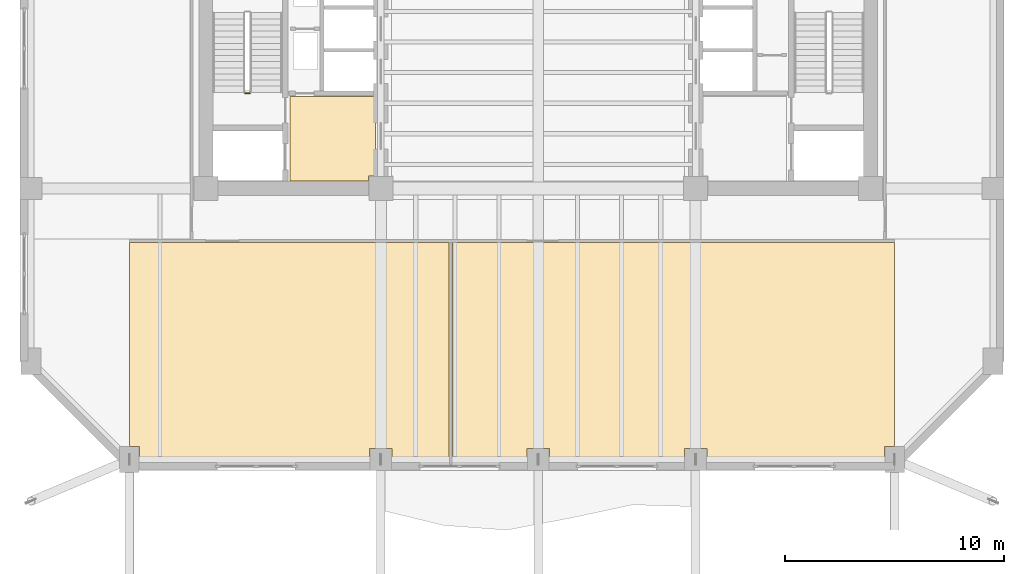
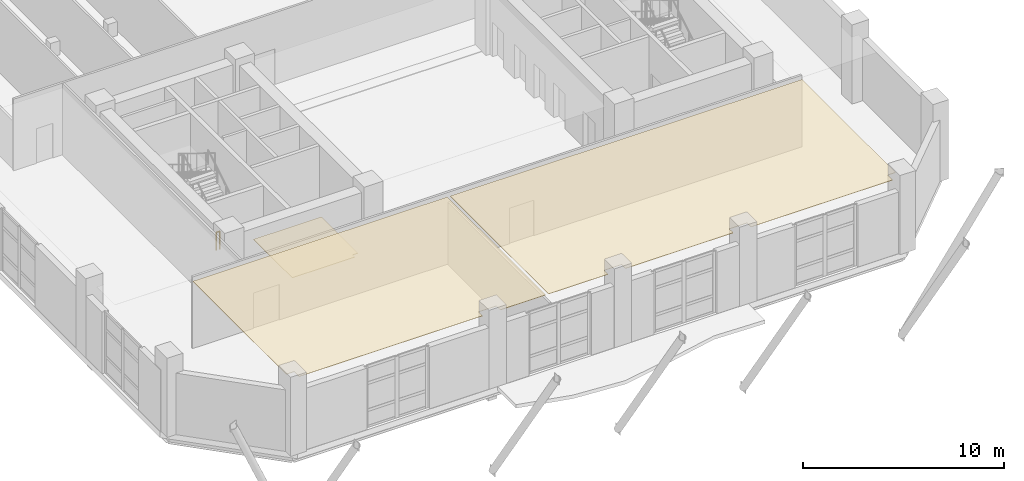
# One storey, part 12 of 16: 3 coverings, 1 railing.
"""IFC4 building model written with IfcOpenShell, lengths in metres."""

from ifc_helpers import new_model, si_unit, direction, frame, origin, origin_2d, place, context, subcontext, project, spatial, polyline, circle, outline, extrude, material, layer, layer_set, type_object, element, save


model = new_model("IFC4")

# Units and contexts
model_context = context("Model", 3, precision=1e-05, world=origin(), true_north=direction((0.0, 1.0)))
body_context = subcontext(model_context, "Body", "Model", "MODEL_VIEW")
ifc_project = project(units=[si_unit("LENGTHUNIT", "METRE"), si_unit("AREAUNIT", "SQUARE_METRE"), si_unit("VOLUMEUNIT", "CUBIC_METRE"), si_unit("PLANEANGLEUNIT", "RADIAN"), si_unit("MASSUNIT", "GRAM", prefix="KILO")], contexts=[model_context])

# Site, building, storey
site_placement = place(None, origin())
site = spatial("IfcSite", under=ifc_project, at=site_placement, CompositionType="ELEMENT")
building_placement = place(site_placement, origin())
building = spatial("IfcBuilding", under=site, at=building_placement, Name="Kranthara Brick Stack", CompositionType="ELEMENT")
storey_placement = place(building_placement, frame((0.0, 0.0, 115.5)))
storey = spatial("IfcBuildingStorey", under=building, at=storey_placement, Name="L28", CompositionType="ELEMENT", Elevation=115.5)

# Coverings
ifc_material_1 = material(Name="Perforated mineral-fibre acoustic ceiling tile", Category="other")
ifc_layer_1 = layer(ifc_material_1, 0.02490234375)
ifc_layer_set_1 = layer_set([ifc_layer_1], Name="Perforated mineral-fibre acoustic ceiling tile")
covering_type_1 = type_object("IfcCoveringType", Name="COV-CEIL-ACOUSTIC", PredefinedType="CEILING", material=ifc_layer_set_1)
covering_1_placement = place(storey_placement, frame((0.0, 0.0, 4.080078125)))
element("IfcCovering", 1, at=covering_1_placement, inside=storey, type_object=covering_type_1, Name="L28 L28 Sky Cafe and Dining Brasserie Acoustic Ceiling", PredefinedType="CEILING", context=body_context, shape_type="SweptSolid", body=[
    extrude(outline(polyline([(23.919921875, 18.320068359375), (23.919921875, 8.52001953125), (21.31005859375, 8.52001953125), (21.31005859375, 8.909912109375), (20.2900390625, 8.909912109375), (20.2900390625, 8.52001953125), (9.760009765625, 8.52001953125), (9.760009765625, 9.010009765625), (9.300048828125, 9.010009765625), (9.300048828125, 18.320068359375), (23.919921875, 18.320068359375)])), origin(), (0.0, 0.0, 1.0), 0.02490234375),
])
covering_2_placement = place(storey_placement, frame((0.0, 0.0, 4.080078125)))
element("IfcCovering", 2, at=covering_2_placement, inside=storey, type_object=covering_type_1, Name="L28 L28 Panoramic Observation Lounge Acoustic Ceiling", PredefinedType="CEILING", context=body_context, shape_type="SweptSolid", body=[
    extrude(outline(polyline([(44.300048828125, 18.320068359375), (44.300048828125, 9.010009765625), (43.840087890625, 9.010009765625), (43.840087890625, 8.52001953125), (35.7099609375, 8.52001953125), (35.7099609375, 8.909912109375), (34.68994140625, 8.909912109375), (34.68994140625, 8.52001953125), (28.510009765625, 8.52001953125), (28.510009765625, 8.909912109375), (27.489990234375, 8.909912109375), (27.489990234375, 8.52001953125), (24.080078125, 8.52001953125), (24.080078125, 18.320068359375), (44.300048828125, 18.320068359375)])), origin(), (0.0, 0.0, 1.0), 0.02490234375),
])
ifc_material_2 = material(Name="Honed terrazzo and porcelain floor finish", Category="stone")
ifc_layer_2 = layer(ifc_material_2, 0.030029296875)
ifc_layer_set_2 = layer_set([ifc_layer_2], Name="Honed terrazzo and porcelain floor finish")
covering_type_2 = type_object("IfcCoveringType", Name="COV-FLOR-STONE", PredefinedType="FLOORING", material=ifc_layer_set_2)
covering_3_placement = place(storey_placement, origin())
element("IfcCovering", 3, at=covering_3_placement, inside=storey, type_object=covering_type_2, Name="L28 Lift Lobby Stone Flooring", PredefinedType="FLOORING", context=body_context, shape_type="SweptSolid", body=[
    extrude(outline(polyline([(16.64990234375, 21.14990234375), (16.64990234375, 25.0), (20.550048828125, 25.0), (20.550048828125, 21.360107421875), (20.239990234375, 21.360107421875), (20.239990234375, 21.14990234375), (16.64990234375, 21.14990234375)])), origin(), (0.0, 0.0, 1.0), 0.030029296875),
])

# Railing
ifc_material_3 = material(Name="Painted galvanized steel stair guardrail", Category="steel")
railing_type = type_object("IfcRailingType", Name="RL-STAIR-GUARD-1100", PredefinedType="GUARDRAIL", material=ifc_material_3)
railing_placement = place(storey_placement, frame((14.800048828125, 25.14990234375, 0.0)))
element("IfcRailing", 4, at=railing_placement, inside=storey, type_object=railing_type, Name="L28 ST01 stair guard 4", PredefinedType="GUARDRAIL", context=body_context, shape_type="SweptSolid", body=[
    extrude(circle(Radius=0.02392578125, at=origin_2d()), frame((0.0, 0.0, 1.076171875), z_axis=(-1.0, 0.0, 0.0), x_axis=(0.0, -1.0, 0.0)), (0.0, 0.0, 1.0), 0.199951171875),
    extrude(circle(Radius=0.02099609375, at=origin_2d()), origin(), (0.0, 0.0, 1.0), 1.052001953125),
    extrude(circle(Radius=0.02099609375, at=origin_2d()), frame((-0.199951171875, 0.0, 0.0)), (0.0, 0.0, 1.0), 1.052001953125),
])

save(model, "model.ifc")
